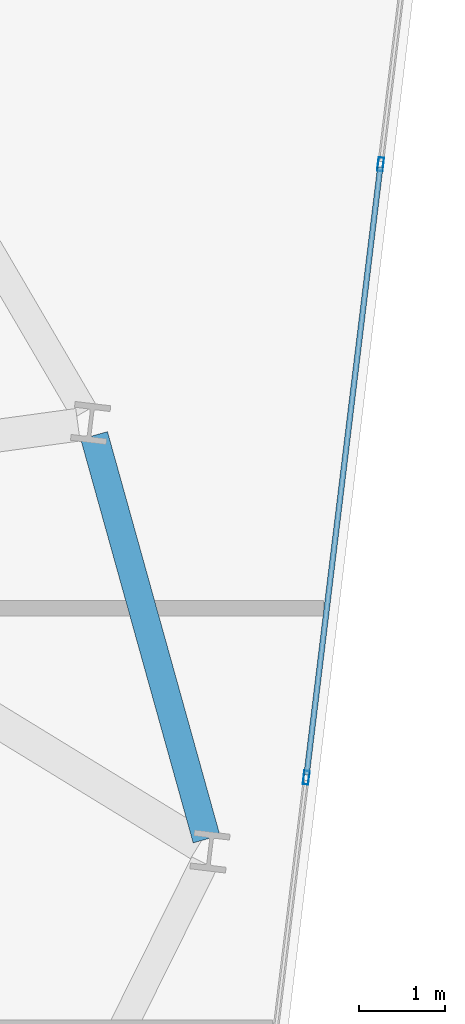
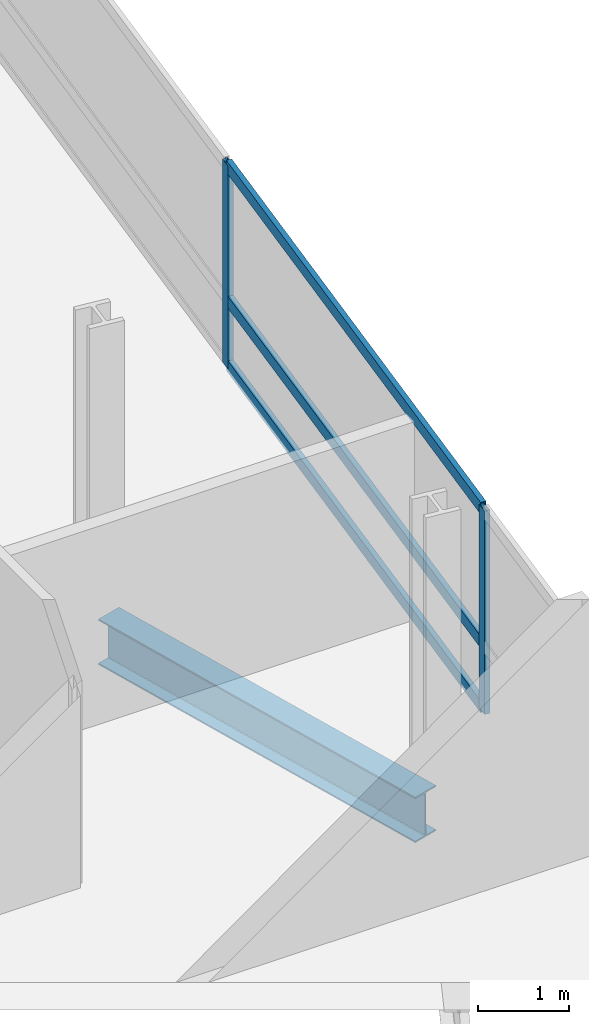
# One storey, part 16 of 26: 5 members, 1 beam, 1 element without a shape of its own.
"""IFC4 building model written with IfcOpenShell, lengths in metres."""

import ifcopenshell
import ifcopenshell.guid

model = None  # the IFC model being written
_history = None  # IfcOwnerHistory: only IFC2X3 demands one
_inside = {}  # id of a spatial element -> (the spatial element, [elements in it])
_under = {}  # id of a project, library or spatial element -> (it, [spatial elements below it])
_declared = {}  # id of a project -> (the project, [libraries it declares])
_typed = {}  # id of a type object -> (the type object, [elements of that type])
_made_of = {}  # id of a material, layer set ... -> (it, [elements and type objects made of it])


def new_model(schema):
    """Start an empty IFC model of exactly this schema.

    Asked for "IFC4X3", IfcOpenShell would pick the latest addendum, in which some entities
    have other attributes; the version numbers below select the first issue.
    IFC2X3 requires an IfcOwnerHistory on every rooted entity: one is made here for all.
    """
    global model, _history
    if schema == "IFC4X3":
        model = ifcopenshell.file(schema_version=(4, 3, 0, 0))
    else:
        model = ifcopenshell.file(schema=schema)
    _inside.clear()
    _under.clear()
    _declared.clear()
    _typed.clear()
    _made_of.clear()
    _history = None
    if model.schema == "IFC2X3":
        org = make("IfcOrganization", Name="unknown")
        user = make(
            "IfcPersonAndOrganization",
            ThePerson=make("IfcPerson", FamilyName="unknown"),
            TheOrganization=org,
        )
        app = make(
            "IfcApplication",
            ApplicationDeveloper=org,
            Version="unknown",
            ApplicationFullName="unknown",
            ApplicationIdentifier="unknown",
        )
        _history = make(
            "IfcOwnerHistory",
            OwningUser=user,
            OwningApplication=app,
            ChangeAction="ADDED",
            CreationDate=0,
        )
    return model


def make(cls, **values):
    """One entity of the class cls with the attributes given. An attribute that is None is left unset."""
    return model.create_entity(
        cls, **{name: value for name, value in values.items() if value is not None}
    )


def rooted(cls, **values):
    """An entity with a GlobalId (a new one), such as an element, a storey or a relation."""
    return make(cls, GlobalId=ifcopenshell.guid.new(), OwnerHistory=_history, **values)


def si_unit(unit_type, name, prefix=None):
    """IfcSIUnit, for example si_unit("LENGTHUNIT", "METRE", prefix="MILLI")."""
    return make("IfcSIUnit", UnitType=unit_type, Prefix=prefix, Name=name)


def assignment(units):
    """IfcUnitAssignment: the units of a project."""
    return None if units is None else make("IfcUnitAssignment", Units=units)


def point(xyz):
    """IfcCartesianPoint."""
    return None if xyz is None else make("IfcCartesianPoint", Coordinates=xyz)


def direction(xyz):
    """IfcDirection."""
    return None if xyz is None else make("IfcDirection", DirectionRatios=xyz)


def frame(location, z_axis=None, x_axis=None):
    """IfcAxis2Placement3D, a coordinate frame: its origin and axes. An axis left out is left unset."""
    return make(
        "IfcAxis2Placement3D",
        Location=point(location),
        Axis=direction(z_axis),
        RefDirection=direction(x_axis),
    )


def frame_2d(location, x_axis=None):
    """IfcAxis2Placement2D, a coordinate frame in the plane: its origin and x axis."""
    return make(
        "IfcAxis2Placement2D", Location=point(location), RefDirection=direction(x_axis)
    )


def origin():
    """The frame at (0, 0, 0) with its axes left unset."""
    return frame((0.0, 0.0, 0.0))


def origin_2d():
    """The frame at (0, 0) in the plane with its x axis left unset."""
    return frame_2d((0.0, 0.0))


def place(relative_to, where):
    """IfcLocalPlacement: puts the frame where relative to a parent placement (None: the world)."""
    return make(
        "IfcLocalPlacement", PlacementRelTo=relative_to, RelativePlacement=where
    )


def context(
    kind, dimensions, precision=None, world=None, true_north=None, identifier=None
):
    """IfcGeometricRepresentationContext, for example the 3D "Model" context."""
    return make(
        "IfcGeometricRepresentationContext",
        ContextIdentifier=identifier,
        ContextType=kind,
        CoordinateSpaceDimension=dimensions,
        Precision=precision,
        WorldCoordinateSystem=world,
        TrueNorth=true_north,
    )


def subcontext(parent, identifier, kind, view, scale=None):
    """IfcGeometricRepresentationSubContext, for example "Body" below "Model"."""
    return make(
        "IfcGeometricRepresentationSubContext",
        ContextIdentifier=identifier,
        ContextType=kind,
        ParentContext=parent,
        TargetScale=scale,
        TargetView=view,
    )


def project(units=None, contexts=None):
    """IfcProject with its units and contexts."""
    return rooted(
        "IfcProject",
        Name="project",
        RepresentationContexts=contexts,
        UnitsInContext=assignment(units),
    )


def spatial(cls, under=None, at=None, **own):
    """A site, building, storey or space (cls), placed at a placement, below another one or the project."""
    s = rooted(cls, ObjectPlacement=at, **own)
    if under is not None:
        _under.setdefault(under.id(), (under, []))[1].append(s)
    return s


def profile(cls, at=None, kind="AREA", **sizes):
    """A parametric profile (cls). Its sizes go by their IFC names, for example OverallWidth=200.0."""
    return make(cls, ProfileType=kind, Position=at, **sizes)


def hollow_rectangle(**sizes):
    """IfcRectangleHollowProfileDef."""
    return profile("IfcRectangleHollowProfileDef", **sizes)


def i_section(**sizes):
    """IfcIShapeProfileDef."""
    return profile("IfcIShapeProfileDef", **sizes)


def extrude(swept, where, along, depth):
    """IfcExtrudedAreaSolid: the profile swept, set in the frame where, extruded along a direction by depth."""
    return make(
        "IfcExtrudedAreaSolid",
        SweptArea=swept,
        Position=where,
        ExtrudedDirection=direction(along),
        Depth=depth,
    )


def shape(context_of_items, identifier, shape_type, items):
    """IfcShapeRepresentation: the items that make up one representation, for example the "Body"."""
    return make(
        "IfcShapeRepresentation",
        ContextOfItems=context_of_items,
        RepresentationIdentifier=identifier,
        RepresentationType=shape_type,
        Items=items,
    )


def material(Name=None, Category=None):
    """IfcMaterial."""
    return make("IfcMaterial", Name=Name, Category=Category)


def layer(
    of_material, thickness, ventilated=None, Name=None, Category=None, Priority=None
):
    """IfcMaterialLayer: one layer of a wall or slab, of a material (None: an air gap)."""
    return make(
        "IfcMaterialLayer",
        Material=of_material,
        LayerThickness=thickness,
        IsVentilated=ventilated,
        Name=Name,
        Category=Category,
        Priority=Priority,
    )


def layer_set(layers, Name=None):
    """IfcMaterialLayerSet."""
    return make("IfcMaterialLayerSet", MaterialLayers=layers, LayerSetName=Name)


def material_profile(
    of_material, cross_section, Name=None, Category=None, Priority=None
):
    """IfcMaterialProfile: a cross section and its material."""
    return make(
        "IfcMaterialProfile",
        Name=Name,
        Material=of_material,
        Profile=cross_section,
        Priority=Priority,
        Category=Category,
    )


def profile_set(profiles, Name=None, composite=None):
    """IfcMaterialProfileSet."""
    return make(
        "IfcMaterialProfileSet",
        Name=Name,
        MaterialProfiles=profiles,
        CompositeProfile=composite,
    )


def made_of(thing, what):
    """Note that an element or type object is made of a material, layer set ...; save() writes the relation."""
    if what is not None:
        _made_of.setdefault(what.id(), (what, []))[1].append(thing)
    return thing


def type_object(cls, material=None, **own):
    """A type object (cls), such as IfcWallType, which elements share."""
    return made_of(rooted(cls, **own), material)


def element(
    cls,
    number,
    at=None,
    inside=None,
    cuts=None,
    type_object=None,
    material=None,
    context=None,
    identifier="Body",
    shape_type=None,
    held_by="IfcProductDefinitionShape",
    body=None,
    shapes=None,
    **own,
):
    """One element of the class cls, such as IfcWall. Its Tag is "e" and its number.

    at: its placement. inside: the storey or other place that contains it. cuts: it is an
    opening in that element (IfcRelVoidsElement). A single representation is given by context,
    identifier, shape_type and body (its items); several are given by shapes. held_by: the class
    of the entity that holds the representations. save() writes the other relations.
    """
    e = rooted(cls, Tag="e%d" % number, ObjectPlacement=at, **own)
    if body is not None:
        shapes = [shape(context, identifier, shape_type, body)]
    if shapes is not None:
        e.Representation = make(held_by, Representations=shapes)
    if inside is not None:
        _inside.setdefault(inside.id(), (inside, []))[1].append(e)
    if cuts is not None:
        rooted(
            "IfcRelVoidsElement", RelatingBuildingElement=cuts, RelatedOpeningElement=e
        )
    if type_object is not None:
        _typed.setdefault(type_object.id(), (type_object, []))[1].append(e)
    return made_of(e, material)


def aggregate(whole, parts):
    """IfcRelAggregates: a whole, such as a stair, and the parts it consists of."""
    return rooted("IfcRelAggregates", RelatingObject=whole, RelatedObjects=parts)


def save(model, path):
    """Write the relations noted so far, then the file.

    IfcRelAggregates (storeys below a building ...), IfcRelContainedInSpatialStructure (elements
    in a storey), IfcRelDefinesByType, IfcRelAssociatesMaterial and IfcRelDeclares: one each for
    every whole, place, type object, material and project.
    """
    for whole, parts in _under.values():
        aggregate(whole, parts)
    for where, things in _inside.values():
        rooted(
            "IfcRelContainedInSpatialStructure",
            RelatedElements=things,
            RelatingStructure=where,
        )
    for kind, things in _typed.values():
        rooted("IfcRelDefinesByType", RelatedObjects=things, RelatingType=kind)
    for what, things in _made_of.values():
        rooted("IfcRelAssociatesMaterial", RelatedObjects=things, RelatingMaterial=what)
    for by, libraries in _declared.values():
        rooted("IfcRelDeclares", RelatingContext=by, RelatedDefinitions=libraries)
    model.write(path)


model = new_model("IFC4")

# Units and contexts
model_context = context("Model", 3, precision=1e-05, world=origin(), true_north=direction((0.0, 1.0)))
body_context = subcontext(model_context, "Body", "Model", "MODEL_VIEW")
ifc_project = project(units=[si_unit("LENGTHUNIT", "METRE"), si_unit("AREAUNIT", "SQUARE_METRE"), si_unit("VOLUMEUNIT", "CUBIC_METRE"), si_unit("PLANEANGLEUNIT", "RADIAN"), si_unit("MASSUNIT", "GRAM", prefix="KILO")], contexts=[model_context])

# Site, building, storey
site_placement = place(None, origin())
site = spatial("IfcSite", under=ifc_project, at=site_placement, CompositionType="ELEMENT")
building_placement = place(site_placement, origin())
building = spatial("IfcBuilding", under=site, at=building_placement, Name="Varnelok Gate Tower", CompositionType="ELEMENT")
storey_placement = place(building_placement, frame((0.0, 0.0, 155.0)))
storey = spatial("IfcBuildingStorey", under=building, at=storey_placement, Name="L39", CompositionType="ELEMENT", Elevation=155.0)

# Beam
ifc_material_1 = material(Name="Structural Steel ASTM A992 Grade 50", Category="steel")
ifc_material_profile_1 = material_profile(ifc_material_1, i_section(OverallWidth=0.323974609375, OverallDepth=0.611083984375, WebThickness=0.0126953125, FlangeThickness=0.01904296875, FilletRadius=0.01806640625, at=origin_2d()), Name="W24X104")
ifc_profile_set_1 = profile_set([ifc_material_profile_1], Name="Structural Steel ASTM A992 Grade 50")
beam_type = type_object("IfcBeamType", Name="BM-SPN-W24X104", PredefinedType="SPANDREL", material=ifc_profile_set_1)
beam_placement = place(storey_placement, frame((74.395263671875, 16.54931640625, -0.555419921875), z_axis=(-0.26833732875, 0.963325011613, 0.0), x_axis=(-0.963325011613, -0.26833732875, 0.0)))
element("IfcBeam", 1, at=beam_placement, inside=storey, type_object=beam_type, Name="L39 Perimeter Spandrel Beam 7", PredefinedType="SPANDREL", context=body_context, shape_type="SweptSolid", body=[
    extrude(i_section(OverallWidth=0.323974609375, OverallDepth=0.611083984375, WebThickness=0.0126953125, FlangeThickness=0.01904296875, FilletRadius=0.01806640625, at=origin_2d()), origin(), (0.0, 0.0, 1.0), 4.884033203125),
])

# Curtain wall, members
ifc_material_2 = material(Name="Anodized Aluminum Alloy 6063-T6", Category="aluminium")
ifc_layer = layer(ifc_material_2, 0.179931640625)
ifc_layer_set = layer_set([ifc_layer], Name="Anodized Aluminum Alloy 6063-T6")
curtain_wall_type = type_object("IfcCurtainWallType", Name="CW3-HOTEL-VISION", PredefinedType="USERDEFINED", material=ifc_layer_set)
curtain_wall_placement = place(storey_placement, origin())
curtain_wall = element("IfcCurtainWall", 2, at=curtain_wall_placement, inside=storey, type_object=curtain_wall_type, Name="L39 East End Vision Curtain Wall", ObjectType="UNITISED CURTAIN WALL", PredefinedType="USERDEFINED")
ifc_material_profile_2 = material_profile(ifc_material_2, hollow_rectangle(XDim=0.06494140625, YDim=0.159912109375, WallThickness=0.00390625, at=origin_2d()), Name="ALU160X65X4")
ifc_profile_set_2 = profile_set([ifc_material_profile_2], Name="Anodized Aluminum Alloy 6063-T6")
member_type_1 = type_object("IfcMemberType", Name="CW-MULL-160", PredefinedType="MULLION", material=ifc_profile_set_2)
member_1_placement = place(storey_placement, frame((76.423828125, 24.413818359375, 0.0), z_axis=(0.0, 0.0, 1.0), x_axis=(0.99273188146, -0.120347046212, 0.0)))
member_1 = element("IfcMember", 3, at=member_1_placement, type_object=member_type_1, Name="CW3 mullion 3", PredefinedType="MULLION", context=body_context, shape_type="SweptSolid", body=[
    extrude(hollow_rectangle(XDim=0.06494140625, YDim=0.159912109375, WallThickness=0.00390625, at=origin_2d()), origin(), (0.0, 0.0, 1.0), 2.72998046875),
])
member_2_placement = place(storey_placement, frame((75.557373046875, 17.26611328125, 0.0), z_axis=(0.0, 0.0, 1.0), x_axis=(0.99273188146, -0.120347046212, 0.0)))
member_2 = element("IfcMember", 4, at=member_2_placement, type_object=member_type_1, Name="CW3 mullion 4", PredefinedType="MULLION", context=body_context, shape_type="SweptSolid", body=[
    extrude(hollow_rectangle(XDim=0.06494140625, YDim=0.159912109375, WallThickness=0.00390625, at=origin_2d()), origin(), (0.0, 0.0, 1.0), 2.72998046875),
])
ifc_material_profile_3 = material_profile(ifc_material_2, hollow_rectangle(XDim=0.06494140625, YDim=0.159912109375, WallThickness=0.00390625, at=origin_2d()), Name="ALU160X65X4")
ifc_profile_set_3 = profile_set([ifc_material_profile_3], Name="Anodized Aluminum Alloy 6063-T6")
member_type_2 = type_object("IfcMemberType", Name="CW-TRAN-160", PredefinedType="USERDEFINED", material=ifc_profile_set_3)
member_3_placement = place(storey_placement, frame((76.419921875, 24.381591796875, 0.032470703125), z_axis=(-0.120340564253, -0.992732667235, 0.0), x_axis=(0.992732667235, -0.120340564253, 0.0)))
member_3 = element("IfcMember", 5, at=member_3_placement, type_object=member_type_2, Name="CW3 transom 3.1", ObjectType="TRANSOM", PredefinedType="USERDEFINED", context=body_context, shape_type="SweptSolid", body=[
    extrude(hollow_rectangle(XDim=0.06494140625, YDim=0.159912109375, WallThickness=0.00390625, at=origin_2d()), origin(), (0.0, 0.0, 1.0), 7.135009765625),
])
member_4_placement = place(storey_placement, frame((76.419921875, 24.381591796875, 0.89990234375), z_axis=(-0.120340564253, -0.992732667235, 0.0), x_axis=(0.992732667235, -0.120340564253, 0.0)))
member_4 = element("IfcMember", 6, at=member_4_placement, type_object=member_type_2, Name="CW3 transom 3.2", ObjectType="TRANSOM", PredefinedType="USERDEFINED", context=body_context, shape_type="SweptSolid", body=[
    extrude(hollow_rectangle(XDim=0.06494140625, YDim=0.159912109375, WallThickness=0.00390625, at=origin_2d()), origin(), (0.0, 0.0, 1.0), 7.135009765625),
])
member_5_placement = place(storey_placement, frame((76.419921875, 24.381591796875, 2.697509765625), z_axis=(-0.120340564253, -0.992732667235, 0.0), x_axis=(0.992732667235, -0.120340564253, 0.0)))
member_5 = element("IfcMember", 7, at=member_5_placement, type_object=member_type_2, Name="CW3 transom 3.3", ObjectType="TRANSOM", PredefinedType="USERDEFINED", context=body_context, shape_type="SweptSolid", body=[
    extrude(hollow_rectangle(XDim=0.06494140625, YDim=0.159912109375, WallThickness=0.00390625, at=origin_2d()), origin(), (0.0, 0.0, 1.0), 7.135009765625),
])
aggregate(curtain_wall, [member_1, member_2, member_3, member_4, member_5])

save(model, "model.ifc")
